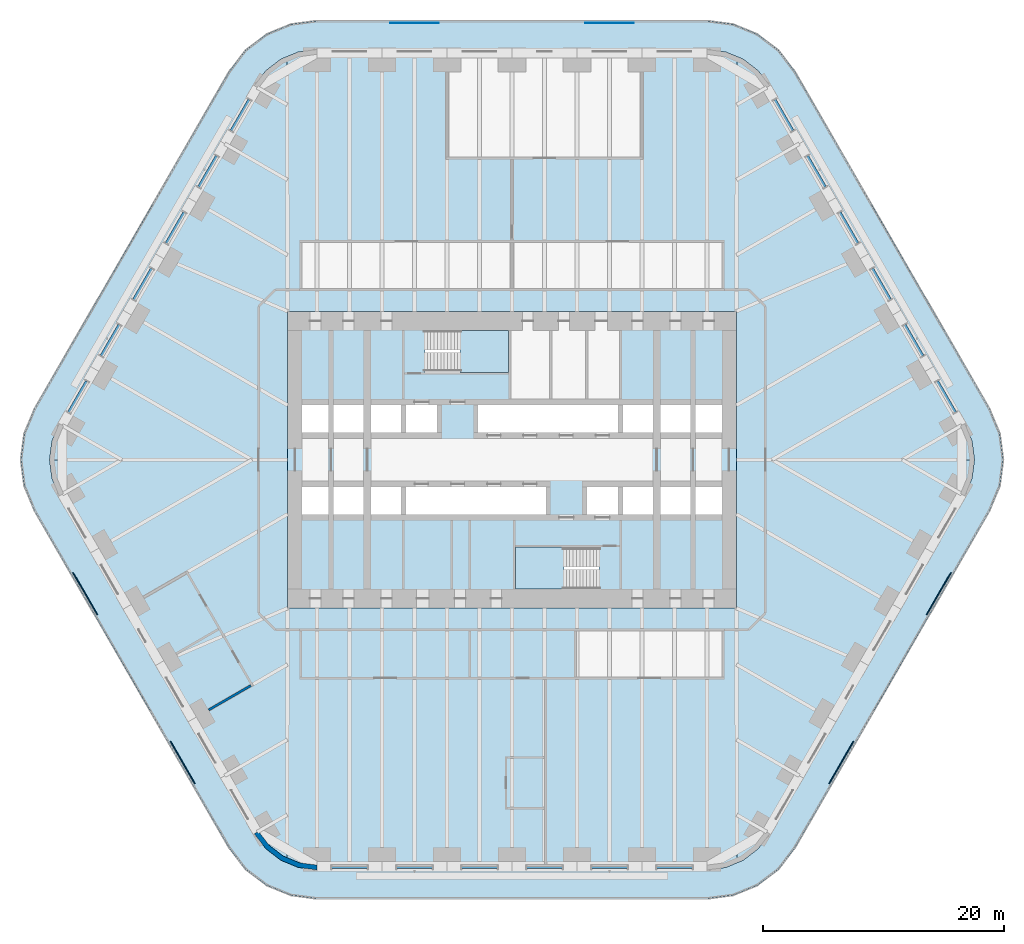
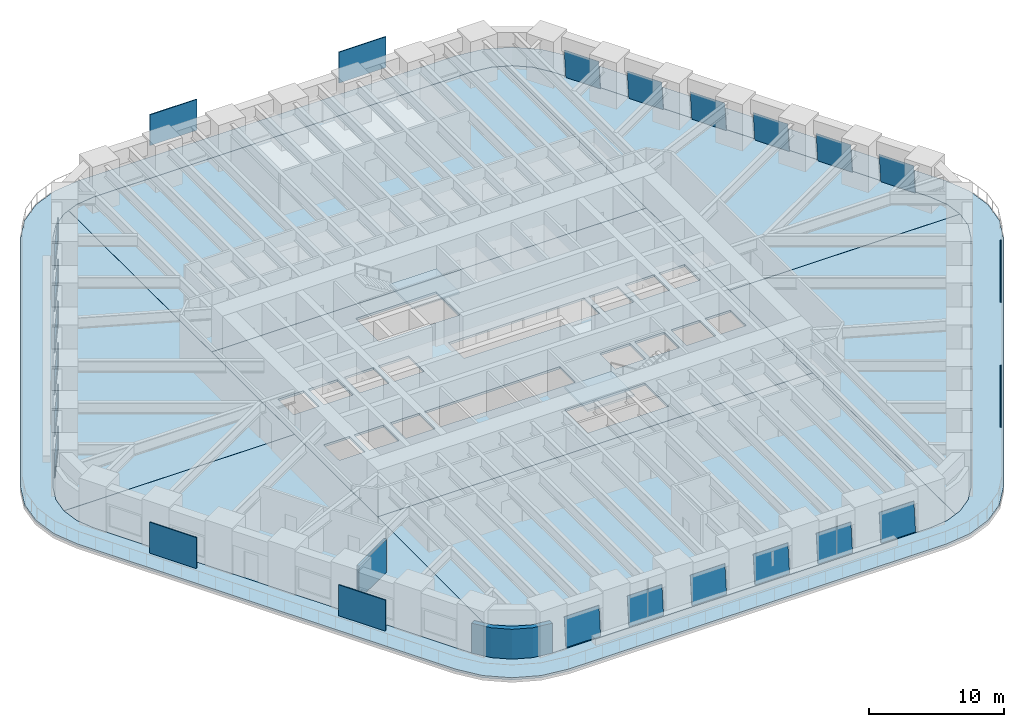
# One storey, part 15 of 23: 24 plates, 10 slabs, 2 walls, 20 elements without a shape of their own.
"""IFC4 building model written with IfcOpenShell, lengths in metres."""

from ifc_helpers import new_model, si_unit, direction, frame, frame_2d, origin, origin_2d, place, context, subcontext, project, spatial, polyline, rectangle, outline, extrude, material, layer, layer_set, type_object, element, aggregate, save


model = new_model("IFC4")

# Units and contexts
model_context = context("Model", 3, precision=1e-05, world=origin(), true_north=direction((0.0, 1.0)))
body_context = subcontext(model_context, "Body", "Model", "MODEL_VIEW")
ifc_project = project(units=[si_unit("LENGTHUNIT", "METRE"), si_unit("AREAUNIT", "SQUARE_METRE"), si_unit("VOLUMEUNIT", "CUBIC_METRE"), si_unit("PLANEANGLEUNIT", "RADIAN"), si_unit("MASSUNIT", "GRAM", prefix="KILO")], contexts=[model_context])

# Site, building, storey
site_placement = place(None, origin())
site = spatial("IfcSite", under=ifc_project, at=site_placement, CompositionType="ELEMENT")
building_placement = place(site_placement, origin())
building = spatial("IfcBuilding", under=site, at=building_placement, Name="Tarfa Lantern Tower", CompositionType="ELEMENT")
storey_placement = place(building_placement, frame((0.0, 0.0, 31.89990234375)))
storey = spatial("IfcBuildingStorey", under=building, at=storey_placement, Name="L06", CompositionType="ELEMENT", Elevation=31.89990234375)

# Slab
ifc_material_1 = material(Name="Concrete C40/50", Category="concrete")
ifc_layer_1 = layer(ifc_material_1, 0.199951171875)
ifc_layer_set_1 = layer_set([ifc_layer_1], Name="BS2 BALCONY SLAB 200")
slab_type_1 = type_object("IfcSlabType", Name="BS2 BALCONY SLAB 200", PredefinedType="FLOOR", material=ifc_layer_set_1)
slab_1_placement = place(storey_placement, frame((0.0, 0.0, -0.199951171875)))
element("IfcSlab", 1, at=slab_1_placement, inside=storey, type_object=slab_type_1, Name="Balcony L06", PredefinedType="FLOOR", context=body_context, shape_type="SweptSolid", body=[
    extrude(outline(polyline([(39.606201171875, 4.199951171875), (23.4404296875, 32.199951171875), (22.10546875, 33.939697265625), (20.36572265625, 35.274658203125), (18.33984375, 36.11376953125), (16.165771484375, 36.39990234375), (-16.165771484375, 36.39990234375), (-18.33984375, 36.11376953125), (-20.36572265625, 35.274658203125), (-22.10546875, 33.939697265625), (-23.4404296875, 32.199951171875), (-39.606201171875, 4.199951171875), (-40.4453125, 2.174072265625), (-40.731689453125, 0.0), (-40.4453125, -2.174072265625), (-39.606201171875, -4.199951171875), (-23.4404296875, -32.199951171875), (-22.10546875, -33.939697265625), (-20.36572265625, -35.274658203125), (-18.33984375, -36.11376953125), (-16.165771484375, -36.39990234375), (16.165771484375, -36.39990234375), (18.33984375, -36.11376953125), (20.36572265625, -35.274658203125), (22.10546875, -33.939697265625), (23.4404296875, -32.199951171875), (39.606201171875, -4.199951171875), (40.4453125, -2.174072265625), (40.731689453125, 0.0), (40.4453125, 2.174072265625), (39.606201171875, 4.199951171875)]), holes=[polyline([(37.52783203125, 3.0), (21.362060546875, 31.0), (20.408447265625, 32.24267578125), (19.165771484375, 33.196044921875), (17.71875, 33.795654296875), (16.165771484375, 34.0), (-16.165771484375, 34.0), (-17.71875, 33.795654296875), (-19.165771484375, 33.196044921875), (-20.408447265625, 32.24267578125), (-21.362060546875, 31.0), (-37.52783203125, 3.0), (-38.127197265625, 1.552978515625), (-38.33154296875, 0.0), (-38.127197265625, -1.552978515625), (-37.52783203125, -3.0), (-21.362060546875, -31.0), (-20.408447265625, -32.24267578125), (-19.165771484375, -33.196044921875), (-17.71875, -33.795654296875), (-16.165771484375, -34.0), (16.165771484375, -34.0), (17.71875, -33.795654296875), (19.165771484375, -33.196044921875), (20.408447265625, -32.24267578125), (21.362060546875, -31.0), (37.52783203125, -3.0), (38.127197265625, -1.552978515625), (38.33154296875, 0.0), (38.127197265625, 1.552978515625), (37.52783203125, 3.0)])]), origin(), (0.0, 0.0, 1.0), 0.199951171875),
])

# Curtain wall, plate
ifc_material_2 = material(Name="Aluminium framed curtain wall", Category="aluminium")
curtain_wall_type = type_object("IfcCurtainWallType", Name="CW1 CANTED GLAZING LOW ZONE 2700", PredefinedType="USERDEFINED", material=ifc_material_2)
curtain_wall_1_placement = place(storey_placement, origin())
curtain_wall_1 = element("IfcCurtainWall", 2, at=curtain_wall_1_placement, inside=storey, type_object=curtain_wall_type, Name="CW1 NE L06", ObjectType="CURTAIN WALL", PredefinedType="USERDEFINED")
ifc_material_3 = material(Name="Laminated double glazing", Category="glass")
ifc_layer_2 = layer(ifc_material_3, 0.028076171875)
ifc_layer_set_2 = layer_set([ifc_layer_2], Name="CWP1 DOUBLE GLAZED PANEL")
plate_type_1 = type_object("IfcPlateType", Name="CWP1 DOUBLE GLAZED PANEL", PredefinedType="CURTAIN_PANEL", material=ifc_layer_set_2)
plate_1_placement = place(storey_placement, frame((36.833740234375, 4.002197265625, 0.0), z_axis=(0.862327869115, 0.497882393798, 0.092215877663), x_axis=(-0.500013192991, 0.866017786667, 3.280829e-06)))
plate_1 = element("IfcPlate", 3, at=plate_1_placement, type_object=plate_type_1, Name="CW1 panel 1.1", PredefinedType="CURTAIN_PANEL", context=body_context, shape_type="SweptSolid", body=[
    extrude(outline(polyline([(0.0, 0.0), (2.9587247608884493, 1.3877787807814457e-17), (2.9586119504863087, 2.6462757391593192), (9.26313130443569e-06, 2.6462952359749448), (0.0, 0.0)])), origin(), (0.0, 0.0, -1.0), 0.028076171875),
])
aggregate(curtain_wall_1, [plate_1])

curtain_wall_2_placement = place(storey_placement, origin())
curtain_wall_2 = element("IfcCurtainWall", 4, at=curtain_wall_2_placement, inside=storey, type_object=curtain_wall_type, Name="CW1 NE L06", ObjectType="CURTAIN WALL", PredefinedType="USERDEFINED")
plate_2_placement = place(storey_placement, frame((34.139404296875, 8.6689453125, 0.0), z_axis=(0.862342481163, 0.497849746867, 0.09225548616), x_axis=(-0.499981985492, 0.866035804215, 0.0)))
plate_2 = element("IfcPlate", 5, at=plate_2_placement, type_object=plate_type_1, Name="CW1 panel 1.1", PredefinedType="CURTAIN_PANEL", context=body_context, shape_type="SweptSolid", body=[
    extrude(outline(polyline([(0.0, 0.0), (2.9586026892918595, 0.0), (2.958594509928721, 2.6462952380721316), (-8.179363138682455e-06, 2.6462952380721316), (0.0, 0.0)])), origin(), (0.0, 0.0, -1.0), 0.028076171875),
])
aggregate(curtain_wall_2, [plate_2])

curtain_wall_3_placement = place(storey_placement, origin())
curtain_wall_3 = element("IfcCurtainWall", 6, at=curtain_wall_3_placement, inside=storey, type_object=curtain_wall_type, Name="CW1 NE L06", ObjectType="CURTAIN WALL", PredefinedType="USERDEFINED")
plate_3_placement = place(storey_placement, frame((31.445068359375, 13.33544921875, 0.0), z_axis=(0.862331536503, 0.497884511238, 0.09217013953), x_axis=(-0.500012666981, 0.86601809037, -3.279351e-06)))
plate_3 = element("IfcPlate", 7, at=plate_3_placement, type_object=plate_type_1, Name="CW1 panel 1.1", PredefinedType="CURTAIN_PANEL", context=body_context, shape_type="SweptSolid", body=[
    extrude(outline(polyline([(0.0, 0.0), (2.958602687419229, -2.7755575615628914e-17), (2.9588059463239933, 2.6462839775192477), (8.118549973916932e-05, 2.6462644895697935), (0.0, 0.0)])), origin(), (0.0, 0.0, -1.0), 0.028076171875),
])
aggregate(curtain_wall_3, [plate_3])

curtain_wall_4_placement = place(storey_placement, origin())
curtain_wall_4 = element("IfcCurtainWall", 8, at=curtain_wall_4_placement, inside=storey, type_object=curtain_wall_type, Name="CW1 NE L06", ObjectType="CURTAIN WALL", PredefinedType="USERDEFINED")
plate_4_placement = place(storey_placement, frame((28.750732421875, 18.002197265625, 0.0), z_axis=(0.862327869115, 0.497882393798, 0.092215877663), x_axis=(-0.50001266672, 0.866018090521, -3.280965e-06)))
plate_4 = element("IfcPlate", 9, at=plate_4_placement, type_object=plate_type_1, Name="CW1 panel 1.1", PredefinedType="CURTAIN_PANEL", context=body_context, shape_type="SweptSolid", body=[
    extrude(outline(polyline([(0.0, 0.0), (2.958602687419245, 1.3877787807814457e-17), (2.9585945118013295, 2.646295235978528), (-0.00013024902287634953, 2.646275738358454), (0.0, 0.0)])), origin(), (0.0, 0.0, -1.0), 0.028076171875),
])
aggregate(curtain_wall_4, [plate_4])

curtain_wall_5_placement = place(storey_placement, origin())
curtain_wall_5 = element("IfcCurtainWall", 10, at=curtain_wall_5_placement, inside=storey, type_object=curtain_wall_type, Name="CW1 NE L06", ObjectType="CURTAIN WALL", PredefinedType="USERDEFINED")
plate_5_placement = place(storey_placement, frame((26.056396484375, 22.6689453125, 0.0), z_axis=(0.862348834857, 0.497853414997, 0.092176266992), x_axis=(-0.499981985492, 0.866035804215, 0.0)))
plate_5 = element("IfcPlate", 11, at=plate_5_placement, type_object=plate_type_1, Name="CW1 panel 1.1", PredefinedType="CURTAIN_PANEL", context=body_context, shape_type="SweptSolid", body=[
    extrude(outline(polyline([(0.0, 0.0), (2.9586026892918595, 0.0), (2.958472444014294, 2.6462757404522685), (-0.0001302452775655129, 2.6462757404522685), (0.0, 0.0)])), origin(), (0.0, 0.0, -1.0), 0.028076171875),
])
aggregate(curtain_wall_5, [plate_5])

curtain_wall_6_placement = place(storey_placement, origin())
curtain_wall_6 = element("IfcCurtainWall", 12, at=curtain_wall_6_placement, inside=storey, type_object=curtain_wall_type, Name="CW1 NE L06", ObjectType="CURTAIN WALL", PredefinedType="USERDEFINED")
plate_6_placement = place(storey_placement, frame((23.362060546875, 27.33544921875, 0.0), z_axis=(0.862352500545, 0.497855531282, 0.092130531185), x_axis=(-0.499981985492, 0.866035804215, 0.0)))
plate_6 = element("IfcPlate", 13, at=plate_6_placement, type_object=plate_type_1, Name="CW1 panel 1.1", PredefinedType="CURTAIN_PANEL", context=body_context, shape_type="SweptSolid", body=[
    extrude(outline(polyline([(0.0, 0.0), (2.9586026892918595, -1.3877787807814457e-17), (2.958683878536808, 2.646264491663335), (8.118924494802948e-05, 2.646264491663335), (0.0, 0.0)])), origin(), (0.0, 0.0, -1.0), 0.028076171875),
])
aggregate(curtain_wall_6, [plate_6])

curtain_wall_7_placement = place(storey_placement, origin())
curtain_wall_7 = element("IfcCurtainWall", 14, at=curtain_wall_7_placement, inside=storey, type_object=curtain_wall_type, Name="CW1 NW L06", ObjectType="CURTAIN WALL", PredefinedType="USERDEFINED")
plate_7_placement = place(storey_placement, frame((-21.8828125, 29.897705078125, 0.0), z_axis=(-0.862352500545, 0.497855531282, 0.092130531185), x_axis=(-0.499981985492, -0.866035804215, 0.0)))
plate_7 = element("IfcPlate", 15, at=plate_7_placement, type_object=plate_type_1, Name="CW1 panel 1.1", PredefinedType="CURTAIN_PANEL", context=body_context, shape_type="SweptSolid", body=[
    extrude(outline(polyline([(0.0, 0.0), (2.9586026892918595, 1.3877787807814457e-17), (2.9585215000469116, 2.646264491663335), (-8.118924494802948e-05, 2.646264491663335), (0.0, 0.0)])), origin(), (0.0, 0.0, -1.0), 0.028076171875),
])
aggregate(curtain_wall_7, [plate_7])

curtain_wall_8_placement = place(storey_placement, origin())
curtain_wall_8 = element("IfcCurtainWall", 16, at=curtain_wall_8_placement, inside=storey, type_object=curtain_wall_type, Name="CW1 NW L06", ObjectType="CURTAIN WALL", PredefinedType="USERDEFINED")
plate_8_placement = place(storey_placement, frame((-24.5771484375, 25.231201171875, 0.0), z_axis=(-0.862348834857, 0.497853414997, 0.092176266992), x_axis=(-0.499981985492, -0.866035804215, 0.0)))
plate_8 = element("IfcPlate", 17, at=plate_8_placement, type_object=plate_type_1, Name="CW1 panel 1.1", PredefinedType="CURTAIN_PANEL", context=body_context, shape_type="SweptSolid", body=[
    extrude(outline(polyline([(0.0, 0.0), (2.9586026892918595, 0.0), (2.9587329345694253, 2.6462757404522685), (0.0001302452775655129, 2.6462757404522685), (0.0, 0.0)])), origin(), (0.0, 0.0, -1.0), 0.028076171875),
])
aggregate(curtain_wall_8, [plate_8])

curtain_wall_9_placement = place(storey_placement, origin())
curtain_wall_9 = element("IfcCurtainWall", 18, at=curtain_wall_9_placement, inside=storey, type_object=curtain_wall_type, Name="CW1 NW L06", ObjectType="CURTAIN WALL", PredefinedType="USERDEFINED")
plate_9_placement = place(storey_placement, frame((-27.271484375, 20.564453125, 0.0), z_axis=(-0.862327869115, 0.497882393798, 0.092215877663), x_axis=(-0.50001266672, -0.866018090521, 3.280965e-06)))
plate_9 = element("IfcPlate", 19, at=plate_9_placement, type_object=plate_type_1, Name="CW1 panel 1.1", PredefinedType="CURTAIN_PANEL", context=body_context, shape_type="SweptSolid", body=[
    extrude(outline(polyline([(0.0, 0.0), (2.958602687419245, -1.3877787807814457e-17), (2.9587329364421215, 2.646275738358454), (8.175617915423306e-06, 2.646295235978528), (0.0, 0.0)])), origin(), (0.0, 0.0, -1.0), 0.028076171875),
])
aggregate(curtain_wall_9, [plate_9])

curtain_wall_10_placement = place(storey_placement, origin())
curtain_wall_10 = element("IfcCurtainWall", 20, at=curtain_wall_10_placement, inside=storey, type_object=curtain_wall_type, Name="CW1 NW L06", ObjectType="CURTAIN WALL", PredefinedType="USERDEFINED")
plate_10_placement = place(storey_placement, frame((-29.9658203125, 15.897705078125, 0.0), z_axis=(-0.862331536503, 0.497884511238, 0.09217013953), x_axis=(-0.500012666981, -0.86601809037, 3.279351e-06)))
plate_10 = element("IfcPlate", 21, at=plate_10_placement, type_object=plate_type_1, Name="CW1 panel 1.1", PredefinedType="CURTAIN_PANEL", context=body_context, shape_type="SweptSolid", body=[
    extrude(outline(polyline([(0.0, 0.0), (2.958602687419229, 2.7755575615628914e-17), (2.95852150191949, 2.6462644895697935), (-0.00020325890476380847, 2.6462839775192477), (0.0, 0.0)])), origin(), (0.0, 0.0, -1.0), 0.028076171875),
])
aggregate(curtain_wall_10, [plate_10])

curtain_wall_11_placement = place(storey_placement, origin())
curtain_wall_11 = element("IfcCurtainWall", 22, at=curtain_wall_11_placement, inside=storey, type_object=curtain_wall_type, Name="CW1 NW L06", ObjectType="CURTAIN WALL", PredefinedType="USERDEFINED")
plate_11_placement = place(storey_placement, frame((-32.66015625, 11.231201171875, 0.0), z_axis=(-0.862342481163, 0.497849746867, 0.09225548616), x_axis=(-0.499981985492, -0.866035804215, 0.0)))
plate_11 = element("IfcPlate", 23, at=plate_11_placement, type_object=plate_type_1, Name="CW1 panel 1.1", PredefinedType="CURTAIN_PANEL", context=body_context, shape_type="SweptSolid", body=[
    extrude(outline(polyline([(0.0, 0.0), (2.9586026892918595, 0.0), (2.9586108686549983, 2.6462952380721316), (8.179363138682455e-06, 2.6462952380721316), (0.0, 0.0)])), origin(), (0.0, 0.0, -1.0), 0.028076171875),
])
aggregate(curtain_wall_11, [plate_11])

curtain_wall_12_placement = place(storey_placement, origin())
curtain_wall_12 = element("IfcCurtainWall", 24, at=curtain_wall_12_placement, inside=storey, type_object=curtain_wall_type, Name="CW1 NW L06", ObjectType="CURTAIN WALL", PredefinedType="USERDEFINED")
plate_12_placement = place(storey_placement, frame((-35.354248046875, 6.564453125, 0.0), z_axis=(-0.862327869115, 0.497882393798, 0.092215877663), x_axis=(-0.500013192991, -0.866017786667, -3.280829e-06)))
plate_12 = element("IfcPlate", 25, at=plate_12_placement, type_object=plate_type_1, Name="CW1 panel 1.1", PredefinedType="CURTAIN_PANEL", context=body_context, shape_type="SweptSolid", body=[
    extrude(outline(polyline([(0.0, 0.0), (2.9587247608884493, -1.3877787807814457e-17), (2.9587154977571455, 2.6462952359749448), (0.00011281040214067216, 2.6462757391593192), (0.0, 0.0)])), origin(), (0.0, 0.0, -1.0), 0.028076171875),
])
aggregate(curtain_wall_12, [plate_12])

curtain_wall_13_placement = place(storey_placement, origin())
curtain_wall_13 = element("IfcCurtainWall", 26, at=curtain_wall_13_placement, inside=storey, type_object=curtain_wall_type, Name="CW1 S L06", ObjectType="CURTAIN WALL", PredefinedType="USERDEFINED")
plate_13_placement = place(storey_placement, frame((-14.950927734375, -33.89990234375, 0.0), z_axis=(0.0, -0.995743653657, 0.092166025202), x_axis=(1.0, 0.0, 0.0)))
plate_13 = element("IfcPlate", 27, at=plate_13_placement, type_object=plate_type_1, Name="CW1 panel 1.1", PredefinedType="CURTAIN_PANEL", context=body_context, shape_type="SweptSolid", body=[
    extrude(outline(polyline([(0.0, 0.0), (2.958740234375, 0.0), (2.958740234375, 2.6462732209712594), (0.0, 2.6462732209712594), (0.0, 0.0)])), origin(), (0.0, 0.0, -1.0), 0.028076171875),
])
aggregate(curtain_wall_13, [plate_13])

curtain_wall_14_placement = place(storey_placement, origin())
curtain_wall_14 = element("IfcCurtainWall", 28, at=curtain_wall_14_placement, inside=storey, type_object=curtain_wall_type, Name="CW1 S L06", ObjectType="CURTAIN WALL", PredefinedType="USERDEFINED")
plate_14_placement = place(storey_placement, frame((-9.562255859375, -33.89990234375, 0.0), z_axis=(0.0, -0.995743653657, 0.092166025202), x_axis=(1.0, 0.0, 0.0)))
plate_14 = element("IfcPlate", 29, at=plate_14_placement, type_object=plate_type_1, Name="CW1 panel 1.1", PredefinedType="CURTAIN_PANEL", context=body_context, shape_type="SweptSolid", body=[
    extrude(outline(polyline([(0.0, 0.0), (2.958740234375, 0.0), (2.958740234375, 2.6462732209712594), (0.0, 2.6462732209712594), (0.0, 0.0)])), origin(), (0.0, 0.0, -1.0), 0.028076171875),
])
aggregate(curtain_wall_14, [plate_14])

curtain_wall_15_placement = place(storey_placement, origin())
curtain_wall_15 = element("IfcCurtainWall", 30, at=curtain_wall_15_placement, inside=storey, type_object=curtain_wall_type, Name="CW1 S L06", ObjectType="CURTAIN WALL", PredefinedType="USERDEFINED")
plate_15_placement = place(storey_placement, frame((-4.173583984375, -33.89990234375, 0.0), z_axis=(0.0, -0.995743653657, 0.092166025202), x_axis=(1.0, 0.0, 0.0)))
plate_15 = element("IfcPlate", 31, at=plate_15_placement, type_object=plate_type_1, Name="CW1 panel 1.1", PredefinedType="CURTAIN_PANEL", context=body_context, shape_type="SweptSolid", body=[
    extrude(outline(polyline([(0.0, 0.0), (2.95849609375, 0.0), (2.95849609375, 2.6462732209712594), (0.0, 2.6462732209712594), (0.0, 0.0)])), origin(), (0.0, 0.0, -1.0), 0.028076171875),
])
aggregate(curtain_wall_15, [plate_15])

curtain_wall_16_placement = place(storey_placement, origin())
curtain_wall_16 = element("IfcCurtainWall", 32, at=curtain_wall_16_placement, inside=storey, type_object=curtain_wall_type, Name="CW1 S L06", ObjectType="CURTAIN WALL", PredefinedType="USERDEFINED")
plate_16_placement = place(storey_placement, frame((1.215087890625, -33.89990234375, 0.0), z_axis=(0.0, -0.995743653657, 0.092166025202), x_axis=(1.0, 0.0, 0.0)))
plate_16 = element("IfcPlate", 33, at=plate_16_placement, type_object=plate_type_1, Name="CW1 panel 1.1", PredefinedType="CURTAIN_PANEL", context=body_context, shape_type="SweptSolid", body=[
    extrude(outline(polyline([(0.0, 0.0), (2.95849609375, 0.0), (2.95849609375, 2.6462732209712594), (0.0, 2.6462732209712594), (0.0, 0.0)])), origin(), (0.0, 0.0, -1.0), 0.028076171875),
])
aggregate(curtain_wall_16, [plate_16])

curtain_wall_17_placement = place(storey_placement, origin())
curtain_wall_17 = element("IfcCurtainWall", 34, at=curtain_wall_17_placement, inside=storey, type_object=curtain_wall_type, Name="CW1 S L06", ObjectType="CURTAIN WALL", PredefinedType="USERDEFINED")
plate_17_placement = place(storey_placement, frame((6.603515625, -33.89990234375, 0.0), z_axis=(0.0, -0.995743653657, 0.092166025202), x_axis=(1.0, 0.0, 0.0)))
plate_17 = element("IfcPlate", 35, at=plate_17_placement, type_object=plate_type_1, Name="CW1 panel 1.1", PredefinedType="CURTAIN_PANEL", context=body_context, shape_type="SweptSolid", body=[
    extrude(outline(polyline([(0.0, 0.0), (2.958740234375, 0.0), (2.958740234375, 2.6462732209712594), (0.0, 2.6462732209712594), (0.0, 0.0)])), origin(), (0.0, 0.0, -1.0), 0.028076171875),
])
aggregate(curtain_wall_17, [plate_17])

curtain_wall_18_placement = place(storey_placement, origin())
curtain_wall_18 = element("IfcCurtainWall", 36, at=curtain_wall_18_placement, inside=storey, type_object=curtain_wall_type, Name="CW1 S L06", ObjectType="CURTAIN WALL", PredefinedType="USERDEFINED")
plate_18_placement = place(storey_placement, frame((11.9921875, -33.89990234375, 0.0), z_axis=(0.0, -0.995743653657, 0.092166025202), x_axis=(1.0, 0.0, 0.0)))
plate_18 = element("IfcPlate", 37, at=plate_18_placement, type_object=plate_type_1, Name="CW1 panel 1.1", PredefinedType="CURTAIN_PANEL", context=body_context, shape_type="SweptSolid", body=[
    extrude(outline(polyline([(0.0, 0.0), (2.958740234375, 0.0), (2.958740234375, 2.6462732209712594), (0.0, 2.6462732209712594), (0.0, 0.0)])), origin(), (0.0, 0.0, -1.0), 0.028076171875),
])
aggregate(curtain_wall_18, [plate_18])

# Slabs
ifc_layer_3 = layer(ifc_material_1, 0.199951171875)
ifc_layer_set_3 = layer_set([ifc_layer_3], Name="FS1 FLOOR SLAB 200")
slab_type_2 = type_object("IfcSlabType", Name="FS1 FLOOR SLAB 200", PredefinedType="FLOOR", material=ifc_layer_set_3)
slab_2_placement = place(storey_placement, frame((0.0, 0.0, -0.199951171875)))
element("IfcSlab", 38, at=slab_2_placement, inside=storey, type_object=slab_type_2, Name="Floor slab L06", PredefinedType="FLOOR", context=body_context, shape_type="SweptSolid", body=[
    extrude(outline(polyline([(-18.60009765625, -12.300048828125), (18.60009765625, -12.300048828125), (18.60009765625, 12.300048828125), (-18.60009765625, 12.300048828125), (-18.60009765625, -12.300048828125)]), holes=[polyline([(-17.39990234375, 2.25), (-15.199951171875, 2.25), (-15.199951171875, 4.550048828125), (-17.39990234375, 4.550048828125), (-17.39990234375, 2.25)]), polyline([(-14.800048828125, 2.25), (-12.300048828125, 2.25), (-12.300048828125, 4.550048828125), (-14.800048828125, 4.550048828125), (-14.800048828125, 2.25)]), polyline([(-11.699951171875, 2.25), (-9.199951171875, 2.25), (-9.199951171875, 4.550048828125), (-11.699951171875, 4.550048828125), (-11.699951171875, 2.25)]), polyline([(-8.800048828125, 2.25), (-6.199951171875, 2.25), (-6.199951171875, 4.550048828125), (-8.800048828125, 4.550048828125), (-8.800048828125, 2.25)]), polyline([(-2.800048828125, 2.25), (8.800048828125, 2.25), (8.800048828125, 4.550048828125), (-2.800048828125, 4.550048828125), (-2.800048828125, 2.25)]), polyline([(9.199951171875, 2.25), (11.699951171875, 2.25), (11.699951171875, 4.550048828125), (9.199951171875, 4.550048828125), (9.199951171875, 2.25)]), polyline([(12.300048828125, 2.25), (14.800048828125, 2.25), (14.800048828125, 4.550048828125), (12.300048828125, 4.550048828125), (12.300048828125, 2.25)]), polyline([(15.199951171875, 2.25), (17.39990234375, 2.25), (17.39990234375, 4.550048828125), (15.199951171875, 4.550048828125), (15.199951171875, 2.25)]), polyline([(17.39990234375, -2.25), (15.199951171875, -2.25), (15.199951171875, -4.550048828125), (17.39990234375, -4.550048828125), (17.39990234375, -2.25)]), polyline([(14.800048828125, -2.25), (12.300048828125, -2.25), (12.300048828125, -4.550048828125), (14.800048828125, -4.550048828125), (14.800048828125, -2.25)]), polyline([(11.699951171875, -2.25), (9.199951171875, -2.25), (9.199951171875, -4.550048828125), (11.699951171875, -4.550048828125), (11.699951171875, -2.25)]), polyline([(8.800048828125, -2.25), (6.199951171875, -2.25), (6.199951171875, -4.550048828125), (8.800048828125, -4.550048828125), (8.800048828125, -2.25)]), polyline([(2.800048828125, -2.25), (-8.800048828125, -2.25), (-8.800048828125, -4.550048828125), (2.800048828125, -4.550048828125), (2.800048828125, -2.25)]), polyline([(-9.199951171875, -2.25), (-11.699951171875, -2.25), (-11.699951171875, -4.550048828125), (-9.199951171875, -4.550048828125), (-9.199951171875, -2.25)]), polyline([(-12.300048828125, -2.25), (-14.800048828125, -2.25), (-14.800048828125, -4.550048828125), (-12.300048828125, -4.550048828125), (-12.300048828125, -2.25)]), polyline([(-15.199951171875, -2.25), (-17.39990234375, -2.25), (-17.39990234375, -4.550048828125), (-15.199951171875, -4.550048828125), (-15.199951171875, -2.25)]), polyline([(-7.199951171875, 7.25), (-0.300048828125, 7.25), (-0.300048828125, 10.699951171875), (-7.199951171875, 10.699951171875), (-7.199951171875, 7.25)]), polyline([(7.199951171875, -7.25), (0.300048828125, -7.25), (0.300048828125, -10.699951171875), (7.199951171875, -10.699951171875), (7.199951171875, -7.25)])]), origin(), (0.0, 0.0, 1.0), 0.199951171875),
])
slab_3_placement = place(storey_placement, frame((0.0, 0.0, -0.199951171875)))
element("IfcSlab", 39, at=slab_3_placement, inside=storey, type_object=slab_type_2, Name="Floor slab L06 NE bay", PredefinedType="FLOOR", context=body_context, shape_type="SweptSolid", body=[
    extrude(outline(polyline([(37.52587890625, 2.9990234375), (21.3603515625, 30.998779296875), (20.406982421875, 32.2412109375), (19.164794921875, 33.1943359375), (18.64697265625, 33.408935546875), (18.60205078125, 12.300048828125), (18.60205078125, 0.001953125), (38.329345703125, 0.001953125), (38.125244140625, 1.552490234375), (37.52587890625, 2.9990234375)])), origin(), (0.0, 0.0, 1.0), 0.199951171875),
])
slab_4_placement = place(storey_placement, frame((0.0, 0.0, -0.199951171875)))
element("IfcSlab", 40, at=slab_4_placement, inside=storey, type_object=slab_type_2, Name="Floor slab L06 N bay", PredefinedType="FLOOR", context=body_context, shape_type="SweptSolid", body=[
    extrude(outline(polyline([(-18.597900390625, 12.302001953125), (18.597900390625, 12.302001953125), (18.64306640625, 33.41064453125), (17.71826171875, 33.793701171875), (16.165771484375, 33.998046875), (-16.165771484375, 33.998046875), (-17.71826171875, 33.793701171875), (-18.64306640625, 33.41064453125), (-18.597900390625, 12.302001953125)])), origin(), (0.0, 0.0, 1.0), 0.199951171875),
])
slab_5_placement = place(storey_placement, frame((0.0, 0.0, -0.199951171875)))
element("IfcSlab", 41, at=slab_5_placement, inside=storey, type_object=slab_type_2, Name="Floor slab L06 NW bay", PredefinedType="FLOOR", context=body_context, shape_type="SweptSolid", body=[
    extrude(outline(polyline([(-18.60205078125, 0.001953125), (-18.60205078125, 12.300048828125), (-18.64697265625, 33.408935546875), (-19.164794921875, 33.1943359375), (-20.406982421875, 32.2412109375), (-21.3603515625, 30.998779296875), (-37.52587890625, 2.9990234375), (-38.125244140625, 1.552490234375), (-38.329345703125, 0.001953125), (-18.60205078125, 0.001953125)])), origin(), (0.0, 0.0, 1.0), 0.199951171875),
])
slab_6_placement = place(storey_placement, frame((0.0, 0.0, -0.199951171875)))
element("IfcSlab", 42, at=slab_6_placement, inside=storey, type_object=slab_type_2, Name="Floor slab L06 SW bay", PredefinedType="FLOOR", context=body_context, shape_type="SweptSolid", body=[
    extrude(outline(polyline([(-18.60205078125, -12.300048828125), (-18.60205078125, -0.001953125), (-38.329345703125, -0.001953125), (-38.125244140625, -1.552490234375), (-37.52587890625, -2.9990234375), (-21.3603515625, -30.998779296875), (-20.406982421875, -32.2412109375), (-19.164794921875, -33.1943359375), (-18.64697265625, -33.408935546875), (-18.60205078125, -12.300048828125)])), origin(), (0.0, 0.0, 1.0), 0.199951171875),
])
slab_7_placement = place(storey_placement, frame((0.0, 0.0, -0.199951171875)))
element("IfcSlab", 43, at=slab_7_placement, inside=storey, type_object=slab_type_2, Name="Floor slab L06 S bay", PredefinedType="FLOOR", context=body_context, shape_type="SweptSolid", body=[
    extrude(outline(polyline([(18.597900390625, -12.302001953125), (-18.597900390625, -12.302001953125), (-18.64306640625, -33.41064453125), (-17.71826171875, -33.793701171875), (-16.165771484375, -33.998046875), (16.165771484375, -33.998046875), (17.71826171875, -33.793701171875), (18.64306640625, -33.41064453125), (18.597900390625, -12.302001953125)])), origin(), (0.0, 0.0, 1.0), 0.199951171875),
])
slab_8_placement = place(storey_placement, frame((0.0, 0.0, -0.199951171875)))
element("IfcSlab", 44, at=slab_8_placement, inside=storey, type_object=slab_type_2, Name="Floor slab L06 SE bay", PredefinedType="FLOOR", context=body_context, shape_type="SweptSolid", body=[
    extrude(outline(polyline([(18.60205078125, -0.001953125), (18.60205078125, -12.300048828125), (18.64697265625, -33.408935546875), (19.164794921875, -33.1943359375), (20.406982421875, -32.2412109375), (21.3603515625, -30.998779296875), (37.52587890625, -2.9990234375), (38.125244140625, -1.552490234375), (38.329345703125, -0.001953125), (18.60205078125, -0.001953125)])), origin(), (0.0, 0.0, 1.0), 0.199951171875),
])

# Plates
ifc_material_4 = material(Name="Perforated limestone screen", Category="masonry")
ifc_layer_4 = layer(ifc_material_4, 0.080078125)
ifc_layer_set_4 = layer_set([ifc_layer_4], Name="SC1 STONE SCREEN 80")
plate_type_2 = type_object("IfcPlateType", Name="SC1 STONE SCREEN 80", PredefinedType="USERDEFINED", material=ifc_layer_set_4)
for number, where, z_axis, x_axis, name in (
    (45, (8.0830078125, 36.199951171875, 1.2001953125), (0.0, 0.0, 1.0), (-1.0, 0.0, 0.0), "Stone screen N 1"),
    (46, (-8.0830078125, 36.199951171875, 1.2001953125), (0.0, 0.0, 1.0), (-1.0, 0.0, 0.0), "Stone screen N 2"),
    (47, (-35.3916015625, -11.10009765625, 1.2001953125), (0.0, 0.0, 1.0), (0.5, -0.866025403784, 0.0), "Stone screen SW 1"),
    (48, (-27.30859375, -25.10009765625, 1.2001953125), (0.0, 0.0, 1.0), (0.5, -0.866025403784, 0.0), "Stone screen SW 2"),
    (49, (27.30859375, -25.10009765625, 1.2001953125), (0.0, 0.0, 1.0), (0.5, 0.866025403784, 0.0), "Stone screen SE 1"),
    (50, (35.3916015625, -11.10009765625, 1.2001953125), (0.0, 0.0, 1.0), (0.5, 0.866025403784, 0.0), "Stone screen SE 2"),
):
    element("IfcPlate", number, at=place(storey_placement, frame(where, z_axis=z_axis, x_axis=x_axis)), inside=storey, type_object=plate_type_2, Name=name, ObjectType="SCREEN", PredefinedType="USERDEFINED", context=body_context, shape_type="SweptSolid", body=[
        extrude(rectangle(XDim=4.0, YDim=0.080078125, at=origin_2d()), origin(), (0.0, 0.0, 1.0), 2.800048828125),
    ])

# Stair, slab
stair_type = type_object("IfcStairType", Name="ST-T10 HALF-TURN STAIR 4200 RISE", PredefinedType="HALF_TURN_STAIR", material=ifc_material_1)
stair_1_placement = place(storey_placement, origin())
stair_1 = element("IfcStair", 51, at=stair_1_placement, inside=storey, type_object=stair_type, Name="Stair ST1", PredefinedType="HALF_TURN_STAIR")
ifc_layer_5 = layer(ifc_material_1, 0.199951171875)
ifc_layer_set_5 = layer_set([ifc_layer_5], Name="SL1 STAIR LANDING 200")
slab_type_3 = type_object("IfcSlabType", Name="SL1 STAIR LANDING 200", PredefinedType="LANDING", material=ifc_layer_set_5)
slab_9_placement = place(storey_placement, frame((0.0, 0.0, 1.900146484375)))
slab_9 = element("IfcSlab", 52, at=slab_9_placement, type_object=slab_type_3, Name="ST1 landing 1", PredefinedType="LANDING", context=body_context, shape_type="SweptSolid", body=[
    extrude(outline(polyline([(-4.320068359375, 7.25), (-0.300048828125, 7.25), (-0.300048828125, 10.699951171875), (-4.320068359375, 10.699951171875), (-4.320068359375, 7.25)])), origin(), (0.0, 0.0, 1.0), 0.199951171875),
])
aggregate(stair_1, [slab_9])

stair_2_placement = place(storey_placement, origin())
stair_2 = element("IfcStair", 53, at=stair_2_placement, inside=storey, type_object=stair_type, Name="Stair ST2", PredefinedType="HALF_TURN_STAIR")
slab_10_placement = place(storey_placement, frame((0.0, 0.0, 1.900146484375)))
slab_10 = element("IfcSlab", 54, at=slab_10_placement, type_object=slab_type_3, Name="ST2 landing 1", PredefinedType="LANDING", context=body_context, shape_type="SweptSolid", body=[
    extrude(outline(polyline([(4.320068359375, -7.25), (0.300048828125, -7.25), (0.300048828125, -10.699951171875), (4.320068359375, -10.699951171875), (4.320068359375, -7.25)])), origin(), (0.0, 0.0, 1.0), 0.199951171875),
])
aggregate(stair_2, [slab_10])

# Walls
ifc_material_5 = material(Name="Limestone cladding on blockwork", Category="masonry")
ifc_layer_6 = layer(ifc_material_5, 0.39990234375)
ifc_layer_set_6 = layer_set([ifc_layer_6], Name="EW2 CURVED STONE CORNER 400")
wall_type_1 = type_object("IfcWallType", Name="EW2 CURVED STONE CORNER 400", PredefinedType="SOLIDWALL", material=ifc_layer_set_6)
wall_1_placement = place(storey_placement, origin())
element("IfcWall", 55, at=wall_1_placement, inside=storey, type_object=wall_type_1, Name="Stone corner SW-S", PredefinedType="SOLIDWALL", context=body_context, shape_type="SweptSolid", body=[
    extrude(outline(polyline([(-21.362060546875, -31.0), (-20.408447265625, -32.24267578125), (-19.165771484375, -33.196044921875), (-17.71875, -33.795654296875), (-16.165771484375, -34.0), (-16.165771484375, -33.60009765625), (-17.615234375, -33.4091796875), (-18.9658203125, -32.849853515625), (-20.12548828125, -31.959716796875), (-21.015625, -30.800048828125), (-21.362060546875, -31.0)])), origin(), (0.0, 0.0, 1.0), 2.7001953125),
])
ifc_material_6 = material(Name="Gypsum board on steel studs", Category="steel")
ifc_layer_7 = layer(ifc_material_6, 0.2099609375)
ifc_layer_set_7 = layer_set([ifc_layer_7], Name="IW2 ACOUSTIC PARTITION 200")
wall_type_2 = type_object("IfcWallType", Name="IW2 ACOUSTIC PARTITION 200", PredefinedType="PARTITIONING", material=ifc_layer_set_7)
wall_2_placement = place(storey_placement, frame((-21.64111328125, -18.716552734375, 0.0), z_axis=(0.0, 0.0, 1.0), x_axis=(-0.866004885491, -0.500035537042, 0.0)))
element("IfcWall", 56, at=wall_2_placement, inside=storey, type_object=wall_type_2, Name="Partition", PredefinedType="PARTITIONING", context=body_context, shape_type="SweptSolid", body=[
    extrude(rectangle(XDim=4.050048828125, YDim=0.199951171875, at=frame_2d((2.02490234375, 0.0))), origin(), (0.0, 0.0, 1.0), 2.991943359375),
])

save(model, "model.ifc")
